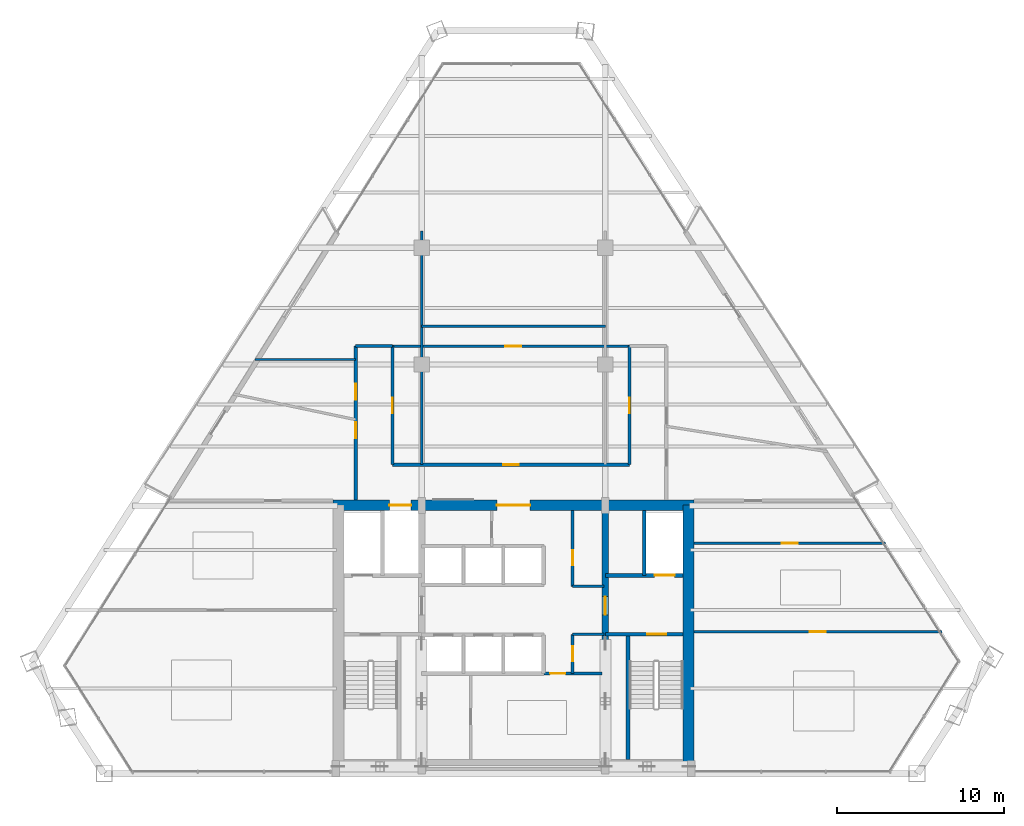
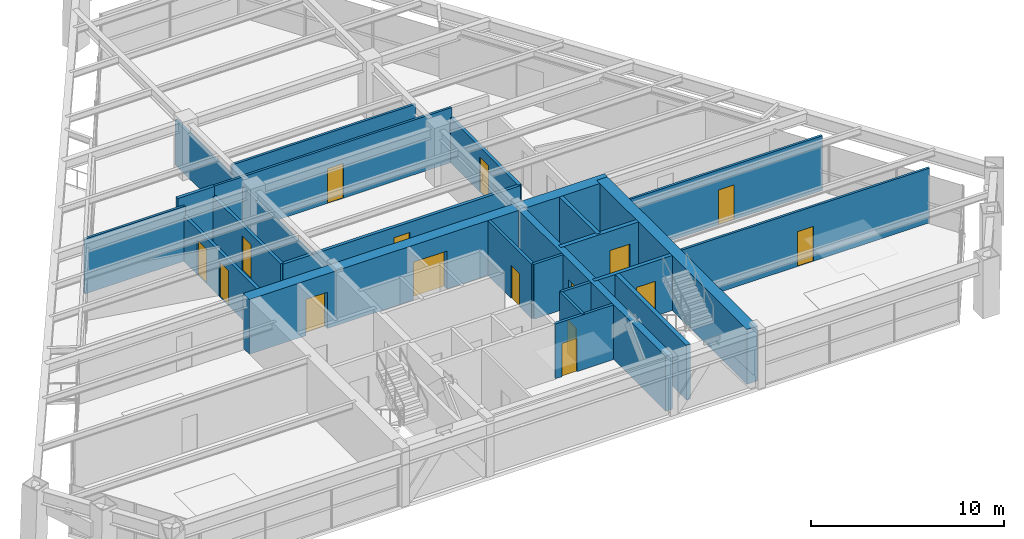
# One storey, part 12 of 15: 23 walls, 16 doors, 16 openings.
"""IFC4 building model written with IfcOpenShell, lengths in metres."""

from ifc_helpers import new_model, si_unit, direction, frame, frame_2d, origin, place, context, subcontext, project, spatial, rectangle, extrude, source, transform, mapped, material, layer, layer_set, type_object, type_shapes, element, fill, save


model = new_model("IFC4")

# Units and contexts
model_context = context("Model", 3, precision=1e-05, world=origin(), true_north=direction((0.0, 1.0)))
body_context = subcontext(model_context, "Body", "Model", "MODEL_VIEW")
ifc_project = project(units=[si_unit("LENGTHUNIT", "METRE"), si_unit("AREAUNIT", "SQUARE_METRE"), si_unit("VOLUMEUNIT", "CUBIC_METRE"), si_unit("PLANEANGLEUNIT", "RADIAN"), si_unit("MASSUNIT", "GRAM", prefix="KILO")], contexts=[model_context])

# Site, building, storey
site_placement = place(None, origin())
site = spatial("IfcSite", under=ifc_project, at=site_placement, CompositionType="ELEMENT")
building_placement = place(site_placement, origin())
building = spatial("IfcBuilding", under=site, at=building_placement, Name="Varnakhor Terracotta Tower", CompositionType="ELEMENT")
storey_placement = place(building_placement, frame((0.0, 0.0, 174.699951171875)))
storey = spatial("IfcBuildingStorey", under=building, at=storey_placement, Name="L44", CompositionType="ELEMENT", Elevation=174.699951171875)

# Wall, openings, doors
ifc_material_1 = material(Name="Concrete C50/60", Category="concrete")
ifc_layer_1 = layer(ifc_material_1, 0.64990234375, Name="Concrete C50/60")
ifc_layer_set_1 = layer_set([ifc_layer_1], Name="Concrete C50/60")
wall_type_1 = type_object("IfcWallType", Name="WAL-CORE-650", PredefinedType="SHEAR", material=ifc_layer_set_1)
wall_1_placement = place(storey_placement, frame((-10.800048828125, 16.074951171875, 0.0), z_axis=(0.0, 0.0, 1.0), x_axis=(1.0, 0.0, 0.0)))
wall_1 = element("IfcWall", 1, at=wall_1_placement, inside=storey, type_object=wall_type_1, Name="L44 North Core Shear Wall", PredefinedType="SHEAR", context=body_context, shape_type="SweptSolid", body=[
    extrude(rectangle(XDim=21.60009765625, YDim=0.64990234375, at=frame_2d((10.800048828125, 0.0))), origin(), (0.0, 0.0, 1.0), 3.469970703125),
])
opening_1_placement = place(wall_1_placement, frame((3.3701171875, 0.0, 0.0)))
opening_1 = element("IfcOpeningElement", 2, at=opening_1_placement, cuts=wall_1, Name="Opening LD-03", PredefinedType="OPENING", context=body_context, shape_type="SweptSolid", body=[
    extrude(rectangle(XDim=1.300048828125, YDim=2.300048828125, at=frame_2d((0.64990234375, 1.14990234375))), frame((0.0, 0.3349609375, 0.0), z_axis=(0.0, -1.0, 0.0), x_axis=(1.0, 0.0, 0.0)), (0.0, 0.0, 1.0), 0.669921875),
])
opening_2_placement = place(wall_1_placement, frame((9.800048828125, 0.0, 0.0)))
opening_2 = element("IfcOpeningElement", 3, at=opening_2_placement, cuts=wall_1, Name="Opening DR-32", PredefinedType="OPENING", context=body_context, shape_type="SweptSolid", body=[
    extrude(rectangle(XDim=2.0, YDim=2.39990234375, at=frame_2d((1.0, 1.199951171875))), frame((0.0, 0.3349609375, 0.0), z_axis=(0.0, -1.0, 0.0), x_axis=(1.0, 0.0, 0.0)), (0.0, 0.0, 1.0), 0.669921875),
])
ifc_material_2 = material(Name="Heavy-Duty Goods Sliding Lift Landing Door", Category="steel")
door_type_1 = type_object("IfcDoorType", Name="LD-SRV-1300X2300", OperationType="NOTDEFINED", PredefinedType="DOOR", material=ifc_material_2)
shared_shape_1 = source(origin(), body_context, "Body", "SweptSolid", [
    extrude(rectangle(XDim=1.300048828125, YDim=2.300048828125, at=frame_2d((0.64990234375, 1.14990234375))), frame((0.0, 0.02490234375, 0.0), z_axis=(0.0, -1.0, 0.0), x_axis=(1.0, 0.0, 0.0)), (0.0, 0.0, 1.0), 0.050048828125),
])
type_shapes(door_type_1, [shared_shape_1])
door_1_placement = place(opening_1_placement, origin())
door_1 = element("IfcDoor", 4, at=door_1_placement, inside=storey, type_object=door_type_1, Name="L44 Service Lift SVL-1 Landing Door", OperationType="SLIDING_TO_RIGHT", OverallHeight=2.300048828125, OverallWidth=1.300048828125, PredefinedType="DOOR", context=body_context, shape_type="MappedRepresentation", body=[
    mapped(shared_shape_1, transform((0.0, 0.0, 0.0), scale=1.0)),
])
fill(opening_1, door_1)
ifc_material_3 = material(Name="Acoustic Double Assembly Fire Door", Category="wood")
door_type_2 = type_object("IfcDoorType", Name="DR-HALL-2000X2400", OperationType="NOTDEFINED", PredefinedType="DOOR", material=ifc_material_3)
shared_shape_2 = source(origin(), body_context, "Body", "SweptSolid", [
    extrude(rectangle(XDim=2.0, YDim=2.39990234375, at=frame_2d((1.0, 1.199951171875))), frame((0.0, 0.02490234375, 0.0), z_axis=(0.0, -1.0, 0.0), x_axis=(1.0, 0.0, 0.0)), (0.0, 0.0, 1.0), 0.050048828125),
])
type_shapes(door_type_2, [shared_shape_2])
door_2_placement = place(opening_2_placement, origin())
door_2 = element("IfcDoor", 5, at=door_2_placement, inside=storey, type_object=door_type_2, Name="L44 Core Main Lobby Double Door", OperationType="DOUBLE_DOOR_SINGLE_SWING", OverallHeight=2.39990234375, OverallWidth=2.0, PredefinedType="DOOR", context=body_context, shape_type="MappedRepresentation", body=[
    mapped(shared_shape_2, transform((0.0, 0.0, 0.0), scale=1.0)),
])
fill(opening_2, door_2)

# Wall
wall_2_placement = place(storey_placement, frame((10.47509765625, 0.52490234375, 0.0), z_axis=(0.0, 0.0, 1.0), x_axis=(0.0, 1.0, 0.0)))
element("IfcWall", 6, at=wall_2_placement, inside=storey, type_object=wall_type_1, Name="L44 East Core Shear Wall", PredefinedType="SHEAR", context=body_context, shape_type="SweptSolid", body=[
    extrude(rectangle(XDim=15.550048828125, YDim=0.64990234375, at=frame_2d((7.77490234375, 0.0))), origin(), (0.0, 0.0, 1.0), 3.469970703125),
])

# Wall, opening, door
ifc_layer_2 = layer(ifc_material_1, 0.39990234375, Name="Concrete C50/60")
ifc_layer_set_2 = layer_set([ifc_layer_2], Name="Concrete C50/60")
wall_type_2 = type_object("IfcWallType", Name="WAL-CORE-WEB-400", PredefinedType="SHEAR", material=ifc_layer_set_2)
wall_3_placement = place(storey_placement, frame((5.5, 0.52490234375, 0.0), z_axis=(0.0, 0.0, 1.0), x_axis=(0.0, 1.0, 0.0)))
wall_3 = element("IfcWall", 7, at=wall_3_placement, inside=storey, type_object=wall_type_2, Name="L44 East Core Web Shear Wall", PredefinedType="SHEAR", context=body_context, shape_type="SweptSolid", body=[
    extrude(rectangle(XDim=15.550048828125, YDim=0.39990234375, at=frame_2d((7.77490234375, 0.0))), origin(), (0.0, 0.0, 1.0), 3.469970703125),
])
opening_3_placement = place(wall_3_placement, frame((8.97509765625, 0.0, 0.0)))
opening_3 = element("IfcOpeningElement", 8, at=opening_3_placement, cuts=wall_3, Name="Opening DR-25", PredefinedType="OPENING", context=body_context, shape_type="SweptSolid", body=[
    extrude(rectangle(XDim=1.10009765625, YDim=2.199951171875, at=frame_2d((0.550048828125, 1.10009765625))), frame((0.0, 0.2099609375, 0.0), z_axis=(0.0, -1.0, 0.0), x_axis=(1.0, 0.0, 0.0)), (0.0, 0.0, 1.0), 0.419921875),
])
ifc_material_4 = material(Name="Firefighting Lobby Self-Closing Fire Door", Category="steel")
door_type_3 = type_object("IfcDoorType", Name="DR-FFL-1100X2200", OperationType="NOTDEFINED", PredefinedType="DOOR", material=ifc_material_4)
shared_shape_3 = source(origin(), body_context, "Body", "SweptSolid", [
    extrude(rectangle(XDim=1.10009765625, YDim=2.199951171875, at=frame_2d((0.550048828125, 1.10009765625))), frame((0.0, 0.02490234375, 0.0), z_axis=(0.0, -1.0, 0.0), x_axis=(1.0, 0.0, 0.0)), (0.0, 0.0, 1.0), 0.050048828125),
])
type_shapes(door_type_3, [shared_shape_3])
door_3_placement = place(opening_3_placement, origin())
door_3 = element("IfcDoor", 9, at=door_3_placement, inside=storey, type_object=door_type_3, Name="L44 East Firefighting Lobby Door", OperationType="SINGLE_SWING_RIGHT", OverallHeight=2.199951171875, OverallWidth=1.10009765625, PredefinedType="DOOR", context=body_context, shape_type="MappedRepresentation", body=[
    mapped(shared_shape_3, transform((0.0, 0.0, 0.0), scale=1.0)),
])
fill(opening_3, door_3)

ifc_material_5 = material(Name="Fire-Rated Gypsum Stud Partition", Category="gypsum")
ifc_layer_3 = layer(ifc_material_5, 0.18505859375, Name="Fire-Rated Gypsum Stud Partition")
ifc_layer_set_3 = layer_set([ifc_layer_3], Name="Fire-Rated Gypsum Stud Partition")
wall_type_3 = type_object("IfcWallType", Name="WAL-CORR-185", PredefinedType="PARTITIONING", material=ifc_layer_set_3)
wall_4_placement = place(storey_placement, frame((-7.25, 18.5, 0.0), z_axis=(0.0, 0.0, 1.0), x_axis=(1.0, 0.0, 0.0)))
wall_4 = element("IfcWall", 10, at=wall_4_placement, inside=storey, type_object=wall_type_3, Name="L44 Central Gallery Link Wall", PredefinedType="PARTITIONING", context=body_context, shape_type="SweptSolid", body=[
    extrude(rectangle(XDim=14.199951171875, YDim=0.18505859375, at=frame_2d((7.10009765625, 0.0))), origin(), (0.0, 0.0, 1.0), 2.845947265625),
])
opening_4_placement = place(wall_4_placement, frame((6.625, 0.0, 0.0)))
opening_4 = element("IfcOpeningElement", 11, at=opening_4_placement, cuts=wall_4, Name="Opening DR-94", PredefinedType="OPENING", context=body_context, shape_type="SweptSolid", body=[
    extrude(rectangle(XDim=0.949951171875, YDim=2.199951171875, at=frame_2d((0.47509765625, 1.10009765625))), frame((0.0, 0.1025390625, 0.0), z_axis=(0.0, -1.0, 0.0), x_axis=(1.0, 0.0, 0.0)), (0.0, 0.0, 1.0), 0.205078125),
])
ifc_material_6 = material(Name="Acoustic Glazed-Vision Timber Office Door", Category="wood")
door_type_4 = type_object("IfcDoorType", Name="DR-OFF-950X2200", OperationType="NOTDEFINED", PredefinedType="DOOR", material=ifc_material_6)
shared_shape_4 = source(origin(), body_context, "Body", "SweptSolid", [
    extrude(rectangle(XDim=0.949951171875, YDim=2.199951171875, at=frame_2d((0.47509765625, 1.10009765625))), frame((0.0, 0.02490234375, 0.0), z_axis=(0.0, -1.0, 0.0), x_axis=(1.0, 0.0, 0.0)), (0.0, 0.0, 1.0), 0.050048828125),
])
type_shapes(door_type_4, [shared_shape_4])
door_4_placement = place(opening_4_placement, origin())
door_4 = element("IfcDoor", 12, at=door_4_placement, inside=storey, type_object=door_type_4, Name="L44 Center Suite Door", OperationType="SINGLE_SWING_RIGHT", OverallHeight=2.199951171875, OverallWidth=0.949951171875, PredefinedType="DOOR", context=body_context, shape_type="MappedRepresentation", body=[
    mapped(shared_shape_4, transform((0.0, 0.0, 0.0), scale=1.0)),
])
fill(opening_4, door_4)

wall_5_placement = place(storey_placement, frame((-7.25, 18.5, 0.0), z_axis=(0.0, 0.0, 1.0), x_axis=(0.0, 1.0, 0.0)))
wall_5 = element("IfcWall", 13, at=wall_5_placement, inside=storey, type_object=wall_type_3, Name="L44 West Gallery Inner Wall", PredefinedType="PARTITIONING", context=body_context, shape_type="SweptSolid", body=[
    extrude(rectangle(XDim=7.10009765625, YDim=0.18505859375, at=frame_2d((3.550048828125, 0.0))), origin(), (0.0, 0.0, 1.0), 2.845947265625),
])
opening_5_placement = place(wall_5_placement, frame((3.074951171875, 0.0, 0.0)))
opening_5 = element("IfcOpeningElement", 14, at=opening_5_placement, cuts=wall_5, Name="Opening DR-94", PredefinedType="OPENING", context=body_context, shape_type="SweptSolid", body=[
    extrude(rectangle(XDim=0.949951171875, YDim=2.199951171875, at=frame_2d((0.47509765625, 1.10009765625))), frame((0.0, 0.1025390625, 0.0), z_axis=(0.0, -1.0, 0.0), x_axis=(1.0, 0.0, 0.0)), (0.0, 0.0, 1.0), 0.205078125),
])
door_5_placement = place(opening_5_placement, origin())
door_5 = element("IfcDoor", 15, at=door_5_placement, inside=storey, type_object=door_type_4, Name="L44 Partner Office 1 B10 Door", OperationType="SINGLE_SWING_RIGHT", OverallHeight=2.199951171875, OverallWidth=0.949951171875, PredefinedType="DOOR", context=body_context, shape_type="MappedRepresentation", body=[
    mapped(shared_shape_4, transform((0.0, 0.0, 0.0), scale=1.0)),
])
fill(opening_5, door_5)

wall_6_placement = place(storey_placement, frame((6.949951171875, 18.5, 0.0), z_axis=(0.0, 0.0, 1.0), x_axis=(0.0, 1.0, 0.0)))
wall_6 = element("IfcWall", 16, at=wall_6_placement, inside=storey, type_object=wall_type_3, Name="L44 East Gallery Inner Wall", PredefinedType="PARTITIONING", context=body_context, shape_type="SweptSolid", body=[
    extrude(rectangle(XDim=7.10009765625, YDim=0.18505859375, at=frame_2d((3.550048828125, 0.0))), origin(), (0.0, 0.0, 1.0), 2.845947265625),
])
opening_6_placement = place(wall_6_placement, frame((3.074951171875, 0.0, 0.0)))
opening_6 = element("IfcOpeningElement", 17, at=opening_6_placement, cuts=wall_6, Name="Opening DR-94", PredefinedType="OPENING", context=body_context, shape_type="SweptSolid", body=[
    extrude(rectangle(XDim=0.949951171875, YDim=2.199951171875, at=frame_2d((0.47509765625, 1.10009765625))), frame((0.0, 0.1025390625, 0.0), z_axis=(0.0, -1.0, 0.0), x_axis=(1.0, 0.0, 0.0)), (0.0, 0.0, 1.0), 0.205078125),
])
door_6_placement = place(opening_6_placement, origin())
door_6 = element("IfcDoor", 18, at=door_6_placement, inside=storey, type_object=door_type_4, Name="L44 Partner Office 5 B9 Door", OperationType="SINGLE_SWING_LEFT", OverallHeight=2.199951171875, OverallWidth=0.949951171875, PredefinedType="DOOR", context=body_context, shape_type="MappedRepresentation", body=[
    mapped(shared_shape_4, transform((0.0, 0.0, 0.0), scale=1.0)),
])
fill(opening_6, door_6)

# Wall, openings, doors
wall_7_placement = place(storey_placement, frame((-9.449951171875, 16.39990234375, 0.0), z_axis=(0.0, 0.0, 1.0), x_axis=(0.0, 1.0, 0.0)))
wall_7 = element("IfcWall", 19, at=wall_7_placement, inside=storey, type_object=wall_type_3, Name="L44 West Gallery Outer Wall", PredefinedType="PARTITIONING", context=body_context, shape_type="SweptSolid", body=[
    extrude(rectangle(XDim=9.2001953125, YDim=0.18505859375, at=frame_2d((4.60009765625, 0.0))), origin(), (0.0, 0.0, 1.0), 2.845947265625),
])
opening_7_placement = place(wall_7_placement, frame((3.698974609375, 0.0, 0.0)))
opening_7 = element("IfcOpeningElement", 20, at=opening_7_placement, cuts=wall_7, Name="Opening DR-94", PredefinedType="OPENING", context=body_context, shape_type="SweptSolid", body=[
    extrude(rectangle(XDim=0.949951171875, YDim=2.199951171875, at=frame_2d((0.47509765625, 1.10009765625))), frame((0.0, 0.1025390625, 0.0), z_axis=(0.0, -1.0, 0.0), x_axis=(1.0, 0.0, 0.0)), (0.0, 0.0, 1.0), 0.205078125),
])
opening_8_placement = place(wall_7_placement, frame((5.987548828125, 0.0, 0.0)))
opening_8 = element("IfcOpeningElement", 21, at=opening_8_placement, cuts=wall_7, Name="Opening DR-94", PredefinedType="OPENING", context=body_context, shape_type="SweptSolid", body=[
    extrude(rectangle(XDim=0.949951171875, YDim=2.199951171875, at=frame_2d((0.47509765625, 1.10009765625))), frame((0.0, 0.1025390625, 0.0), z_axis=(0.0, -1.0, 0.0), x_axis=(1.0, 0.0, 0.0)), (0.0, 0.0, 1.0), 0.205078125),
])
door_7_placement = place(opening_7_placement, origin())
door_7 = element("IfcDoor", 22, at=door_7_placement, inside=storey, type_object=door_type_4, Name="L44 West Wing Door", OperationType="SINGLE_SWING_LEFT", OverallHeight=2.199951171875, OverallWidth=0.949951171875, PredefinedType="DOOR", context=body_context, shape_type="MappedRepresentation", body=[
    mapped(shared_shape_4, transform((0.0, 0.0, 0.0), scale=1.0)),
])
fill(opening_7, door_7)
door_8_placement = place(opening_8_placement, origin())
door_8 = element("IfcDoor", 23, at=door_8_placement, inside=storey, type_object=door_type_4, Name="L44 Partner Office 2 Door", OperationType="SINGLE_SWING_LEFT", OverallHeight=2.199951171875, OverallWidth=0.949951171875, PredefinedType="DOOR", context=body_context, shape_type="MappedRepresentation", body=[
    mapped(shared_shape_4, transform((0.0, 0.0, 0.0), scale=1.0)),
])
fill(opening_8, door_8)

# Wall
wall_8_placement = place(storey_placement, frame((-9.449951171875, 25.60009765625, 0.0), z_axis=(0.0, 0.0, 1.0), x_axis=(1.0, 0.0, 0.0)))
element("IfcWall", 24, at=wall_8_placement, inside=storey, type_object=wall_type_3, Name="L44 West Gallery North End", PredefinedType="PARTITIONING", context=body_context, shape_type="SweptSolid", body=[
    extrude(rectangle(XDim=2.199951171875, YDim=0.18505859375, at=frame_2d((1.10009765625, 0.0))), origin(), (0.0, 0.0, 1.0), 3.462158203125),
])

# Wall, opening, door
ifc_material_7 = material(Name="Concrete C40/50", Category="concrete")
ifc_layer_4 = layer(ifc_material_7, 0.219970703125, Name="Concrete C40/50")
ifc_layer_set_4 = layer_set([ifc_layer_4], Name="Concrete C40/50")
wall_type_4 = type_object("IfcWallType", Name="WAL-FFLOBBY-220", PredefinedType="SOLIDWALL", material=ifc_layer_set_4)
wall_9_placement = place(storey_placement, frame((10.14990234375, 8.35009765625, 0.0), z_axis=(0.0, 0.0, 1.0), x_axis=(-1.0, 0.0, 0.0)))
wall_9 = element("IfcWall", 25, at=wall_9_placement, inside=storey, type_object=wall_type_4, Name="L44 East Firefighting Lobby Stair Wall", PredefinedType="SOLIDWALL", context=body_context, shape_type="SweptSolid", body=[
    extrude(rectangle(XDim=4.64990234375, YDim=0.219970703125, at=frame_2d((2.324951171875, 0.0))), origin(), (0.0, 0.0, 1.0), 3.469970703125),
])
opening_9_placement = place(wall_9_placement, frame((1.0, 0.0, 0.0)))
opening_9 = element("IfcOpeningElement", 26, at=opening_9_placement, cuts=wall_9, Name="Opening DR-34", PredefinedType="OPENING", context=body_context, shape_type="SweptSolid", body=[
    extrude(rectangle(XDim=1.14990234375, YDim=2.199951171875, at=frame_2d((0.574951171875, 1.10009765625))), frame((0.0, 0.1201171875, 0.0), z_axis=(0.0, -1.0, 0.0), x_axis=(1.0, 0.0, 0.0)), (0.0, 0.0, 1.0), 0.239990234375),
])
ifc_material_8 = material(Name="Self-Closing Smoke-Sealed Steel Fire Door", Category="steel")
door_type_5 = type_object("IfcDoorType", Name="DR-STAIR-1150X2200", OperationType="NOTDEFINED", PredefinedType="DOOR", material=ifc_material_8)
shared_shape_5 = source(origin(), body_context, "Body", "SweptSolid", [
    extrude(rectangle(XDim=1.14990234375, YDim=2.199951171875, at=frame_2d((0.574951171875, 1.10009765625))), frame((0.0, 0.02490234375, 0.0), z_axis=(0.0, -1.0, 0.0), x_axis=(1.0, 0.0, 0.0)), (0.0, 0.0, 1.0), 0.050048828125),
])
type_shapes(door_type_5, [shared_shape_5])
door_9_placement = place(opening_9_placement, origin())
door_9 = element("IfcDoor", 27, at=door_9_placement, inside=storey, type_object=door_type_5, Name="L44 Exit Stair ST-2 Fire Door", OperationType="SINGLE_SWING_LEFT", OverallHeight=2.199951171875, OverallWidth=1.14990234375, PredefinedType="DOOR", context=body_context, shape_type="MappedRepresentation", body=[
    mapped(shared_shape_5, transform((0.0, 0.0, 0.0), scale=1.0)),
])
fill(opening_9, door_9)

ifc_material_9 = material(Name="Acoustic Metal-Stud Partition", Category="gypsum")
ifc_layer_5 = layer(ifc_material_9, 0.139892578125, Name="Acoustic Metal-Stud Partition")
ifc_layer_set_5 = layer_set([ifc_layer_5], Name="Acoustic Metal-Stud Partition")
wall_type_5 = type_object("IfcWallType", Name="WAL-PART-140", PredefinedType="PARTITIONING", material=ifc_layer_set_5)
wall_10_placement = place(storey_placement, frame((-7.25, 25.60009765625, 0.0), z_axis=(0.0, 0.0, 1.0), x_axis=(1.0, 0.0, 0.0)))
wall_10 = element("IfcWall", 28, at=wall_10_placement, inside=storey, type_object=wall_type_5, Name="L44 Gallery Center Cap Wall", PredefinedType="PARTITIONING", context=body_context, shape_type="SweptSolid", body=[
    extrude(rectangle(XDim=14.199951171875, YDim=0.139892578125, at=frame_2d((7.10009765625, 0.0))), origin(), (0.0, 0.0, 1.0), 3.462158203125),
])
opening_10_placement = place(wall_10_placement, frame((6.767822265625, 0.0, 0.0)))
opening_10 = element("IfcOpeningElement", 29, at=opening_10_placement, cuts=wall_10, Name="Opening DR-94", PredefinedType="OPENING", context=body_context, shape_type="SweptSolid", body=[
    extrude(rectangle(XDim=0.949951171875, YDim=2.199951171875, at=frame_2d((0.47509765625, 1.10009765625))), frame((0.0, 0.080078125, 0.0), z_axis=(0.0, -1.0, 0.0), x_axis=(1.0, 0.0, 0.0)), (0.0, 0.0, 1.0), 0.159912109375),
])
door_10_placement = place(opening_10_placement, origin())
door_10 = element("IfcDoor", 30, at=door_10_placement, inside=storey, type_object=door_type_4, Name="L44 Staff Pantry Kitchen Door", OperationType="SINGLE_SWING_RIGHT", OverallHeight=2.199951171875, OverallWidth=0.949951171875, PredefinedType="DOOR", context=body_context, shape_type="MappedRepresentation", body=[
    mapped(shared_shape_4, transform((0.0, 0.0, 0.0), scale=1.0)),
])
fill(opening_10, door_10)

# Walls
wall_11_placement = place(storey_placement, frame((-5.5, 18.5, 0.0), z_axis=(0.0, 0.0, 1.0), x_axis=(0.0, 1.0, 0.0)))
element("IfcWall", 31, at=wall_11_placement, inside=storey, type_object=wall_type_5, Name="L44 Center West Column Wall", PredefinedType="PARTITIONING", context=body_context, shape_type="SweptSolid", body=[
    extrude(rectangle(XDim=14.0, YDim=0.139892578125, at=frame_2d((7.0, 0.0))), origin(), (0.0, 0.0, 1.0), 2.845947265625),
])
wall_12_placement = place(storey_placement, frame((-5.5, 26.800048828125, 0.0), z_axis=(0.0, 0.0, 1.0), x_axis=(1.0, 0.0, 0.0)))
element("IfcWall", 32, at=wall_12_placement, inside=storey, type_object=wall_type_5, Name="L44 Center Cross Cut 1", PredefinedType="PARTITIONING", context=body_context, shape_type="SweptSolid", body=[
    extrude(rectangle(XDim=11.0, YDim=0.139892578125, at=frame_2d((5.5, 0.0))), origin(), (0.0, 0.0, 1.0), 3.462158203125),
])
wall_13_placement = place(storey_placement, frame((-15.468505859375, 24.800048828125, 0.0), z_axis=(0.0, 0.0, 1.0), x_axis=(1.0, 0.0, 0.0)))
element("IfcWall", 33, at=wall_13_placement, inside=storey, type_object=wall_type_5, Name="L44 West Wing Cut 3", PredefinedType="PARTITIONING", context=body_context, shape_type="SweptSolid", body=[
    extrude(rectangle(XDim=6.0185546875, YDim=0.139892578125, at=frame_2d((3.00927734375, 0.0))), origin(), (0.0, 0.0, 1.0), 3.462158203125),
])

# Wall, opening, door
wall_14_placement = place(storey_placement, frame((10.820068359375, 8.5, 0.0), z_axis=(0.0, 0.0, 1.0), x_axis=(1.0, 0.0, 0.0)))
wall_14 = element("IfcWall", 34, at=wall_14_placement, inside=storey, type_object=wall_type_5, Name="L44 East Wing Cut 1", PredefinedType="PARTITIONING", context=body_context, shape_type="SweptSolid", body=[
    extrude(rectangle(XDim=14.831787109375, YDim=0.139892578125, at=frame_2d((7.416015625, 0.0))), origin(), (0.0, 0.0, 1.0), 3.462158203125),
])
opening_11_placement = place(wall_14_placement, frame((6.933349609375, 0.0, 0.0)))
opening_11 = element("IfcOpeningElement", 35, at=opening_11_placement, cuts=wall_14, Name="Opening DR-94", PredefinedType="OPENING", context=body_context, shape_type="SweptSolid", body=[
    extrude(rectangle(XDim=0.949951171875, YDim=2.199951171875, at=frame_2d((0.47509765625, 1.10009765625))), frame((0.0, 0.080078125, 0.0), z_axis=(0.0, -1.0, 0.0), x_axis=(1.0, 0.0, 0.0)), (0.0, 0.0, 1.0), 0.159912109375),
])
door_11_placement = place(opening_11_placement, origin())
door_11 = element("IfcDoor", 36, at=door_11_placement, inside=storey, type_object=door_type_4, Name="L44 Partner Office 1 SE Door", OperationType="SINGLE_SWING_RIGHT", OverallHeight=2.199951171875, OverallWidth=0.949951171875, PredefinedType="DOOR", context=body_context, shape_type="MappedRepresentation", body=[
    mapped(shared_shape_4, transform((0.0, 0.0, 0.0), scale=1.0)),
])
fill(opening_11, door_11)

wall_15_placement = place(storey_placement, frame((10.820068359375, 13.800048828125, 0.0), z_axis=(0.0, 0.0, 1.0), x_axis=(1.0, 0.0, 0.0)))
wall_15 = element("IfcWall", 37, at=wall_15_placement, inside=storey, type_object=wall_type_5, Name="L44 East Wing Cut 2", PredefinedType="PARTITIONING", context=body_context, shape_type="SweptSolid", body=[
    extrude(rectangle(XDim=11.468994140625, YDim=0.139892578125, at=frame_2d((5.734375, 0.0))), origin(), (0.0, 0.0, 1.0), 3.462158203125),
])
opening_12_placement = place(wall_15_placement, frame((5.251953125, 0.0, 0.0)))
opening_12 = element("IfcOpeningElement", 38, at=opening_12_placement, cuts=wall_15, Name="Opening DR-94", PredefinedType="OPENING", context=body_context, shape_type="SweptSolid", body=[
    extrude(rectangle(XDim=0.949951171875, YDim=2.199951171875, at=frame_2d((0.47509765625, 1.10009765625))), frame((0.0, 0.080078125, 0.0), z_axis=(0.0, -1.0, 0.0), x_axis=(1.0, 0.0, 0.0)), (0.0, 0.0, 1.0), 0.159912109375),
])
door_12_placement = place(opening_12_placement, origin())
door_12 = element("IfcDoor", 39, at=door_12_placement, inside=storey, type_object=door_type_4, Name="L44 Conference Room 1 B3 Door", OperationType="SINGLE_SWING_LEFT", OverallHeight=2.199951171875, OverallWidth=0.949951171875, PredefinedType="DOOR", context=body_context, shape_type="MappedRepresentation", body=[
    mapped(shared_shape_4, transform((0.0, 0.0, 0.0), scale=1.0)),
])
fill(opening_12, door_12)

# Walls
ifc_layer_6 = layer(ifc_material_7, 0.219970703125, Name="Concrete C40/50")
ifc_layer_set_6 = layer_set([ifc_layer_6], Name="Concrete C40/50")
wall_type_6 = type_object("IfcWallType", Name="WAL-SHAFT-220", PredefinedType="SOLIDWALL", material=ifc_layer_set_6)
wall_16_placement = place(storey_placement, frame((7.840087890625, 11.8701171875, 0.0), z_axis=(0.0, 0.0, 1.0), x_axis=(0.0, 1.0, 0.0)))
element("IfcWall", 40, at=wall_16_placement, inside=storey, type_object=wall_type_6, Name="L44 Lift FFL-2 and Riser Divider Wall", PredefinedType="SOLIDWALL", context=body_context, shape_type="SweptSolid", body=[
    extrude(rectangle(XDim=3.8798828125, YDim=0.219970703125, at=frame_2d((1.93994140625, 0.0))), origin(), (0.0, 0.0, 1.0), 3.469970703125),
])
ifc_layer_7 = layer(ifc_material_7, 0.25, Name="Concrete C40/50")
ifc_layer_set_7 = layer_set([ifc_layer_7], Name="Concrete C40/50")
wall_type_7 = type_object("IfcWallType", Name="WAL-SHAFT-250", PredefinedType="SOLIDWALL", material=ifc_layer_set_7)
wall_17_placement = place(storey_placement, frame((6.85009765625, 0.85009765625, 0.0), z_axis=(0.0, 0.0, 1.0), x_axis=(0.0, 1.0, 0.0)))
element("IfcWall", 41, at=wall_17_placement, inside=storey, type_object=wall_type_7, Name="L44 Stair ST-2 Bearing Shaft Wall", PredefinedType="SOLIDWALL", context=body_context, shape_type="SweptSolid", body=[
    extrude(rectangle(XDim=7.5, YDim=0.25, at=frame_2d((3.75, 0.0))), origin(), (0.0, 0.0, 1.0), 3.469970703125),
])

# Wall, opening, door
wall_18_placement = place(storey_placement, frame((10.14990234375, 11.8701171875, 0.0), z_axis=(0.0, 0.0, 1.0), x_axis=(-1.0, 0.0, 0.0)))
wall_18 = element("IfcWall", 42, at=wall_18_placement, inside=storey, type_object=wall_type_7, Name="L44 Lift FFL-2 Shaft Front Wall", PredefinedType="SOLIDWALL", context=body_context, shape_type="SweptSolid", body=[
    extrude(rectangle(XDim=4.64990234375, YDim=0.25, at=frame_2d((2.324951171875, 0.0))), origin(), (0.0, 0.0, 1.0), 3.469970703125),
])
opening_13_placement = place(wall_18_placement, frame((0.5, 0.0, 0.0)))
opening_13 = element("IfcOpeningElement", 43, at=opening_13_placement, cuts=wall_18, Name="Opening LD-02", PredefinedType="OPENING", context=body_context, shape_type="SweptSolid", body=[
    extrude(rectangle(XDim=1.199951171875, YDim=2.25, at=frame_2d((0.60009765625, 1.125))), frame((0.0, 0.135009765625, 0.0), z_axis=(0.0, -1.0, 0.0), x_axis=(1.0, 0.0, 0.0)), (0.0, 0.0, 1.0), 0.27001953125),
])
ifc_material_10 = material(Name="Firefighting Stretcher Sliding Lift Landing Door", Category="steel")
door_type_6 = type_object("IfcDoorType", Name="LD-FFL-1200X2250", OperationType="NOTDEFINED", PredefinedType="DOOR", material=ifc_material_10)
shared_shape_6 = source(origin(), body_context, "Body", "SweptSolid", [
    extrude(rectangle(XDim=1.199951171875, YDim=2.25, at=frame_2d((0.60009765625, 1.125))), frame((0.0, 0.02490234375, 0.0), z_axis=(0.0, -1.0, 0.0), x_axis=(1.0, 0.0, 0.0)), (0.0, 0.0, 1.0), 0.050048828125),
])
type_shapes(door_type_6, [shared_shape_6])
door_13_placement = place(opening_13_placement, origin())
door_13 = element("IfcDoor", 44, at=door_13_placement, inside=storey, type_object=door_type_6, Name="L44 Firefighting Lift FFL-2 Landing Door", OperationType="SLIDING_TO_RIGHT", OverallHeight=2.25, OverallWidth=1.199951171875, PredefinedType="DOOR", context=body_context, shape_type="MappedRepresentation", body=[
    mapped(shared_shape_6, transform((0.0, 0.0, 0.0), scale=1.0)),
])
fill(opening_13, door_13)

ifc_material_11 = material(Name="Acoustic Fire-Rated Partition", Category="gypsum")
ifc_layer_8 = layer(ifc_material_11, 0.1650390625, Name="Acoustic Fire-Rated Partition")
ifc_layer_set_8 = layer_set([ifc_layer_8], Name="Acoustic Fire-Rated Partition")
wall_type_8 = type_object("IfcWallType", Name="WAL-TENANCY-165", PredefinedType="PARTITIONING", material=ifc_layer_set_8)
wall_19_placement = place(storey_placement, frame((1.820068359375, 6.0, 0.0), z_axis=(0.0, 0.0, 1.0), x_axis=(1.0, 0.0, 0.0)))
wall_19 = element("IfcWall", 45, at=wall_19_placement, inside=storey, type_object=wall_type_8, Name="L44 Reclaimed Core Bay North Rated Wall", PredefinedType="PARTITIONING", context=body_context, shape_type="SweptSolid", body=[
    extrude(rectangle(XDim=3.47998046875, YDim=0.1650390625, at=frame_2d((1.739990234375, 0.0))), origin(), (0.0, 0.0, 1.0), 3.462158203125),
])
opening_14_placement = place(wall_19_placement, frame((0.3798828125, 0.0, 0.0)))
opening_14 = element("IfcOpeningElement", 46, at=opening_14_placement, cuts=wall_19, Name="Opening DR-67", PredefinedType="OPENING", context=body_context, shape_type="SweptSolid", body=[
    extrude(rectangle(XDim=0.89990234375, YDim=2.10009765625, at=frame_2d((0.449951171875, 1.050048828125))), frame((0.0, 0.092529296875, 0.0), z_axis=(0.0, -1.0, 0.0), x_axis=(1.0, 0.0, 0.0)), (0.0, 0.0, 1.0), 0.18505859375),
])
ifc_material_12 = material(Name="Steel Service Riser Fire Door", Category="steel")
door_type_7 = type_object("IfcDoorType", Name="DR-RISER-900X2100", OperationType="NOTDEFINED", PredefinedType="DOOR", material=ifc_material_12)
shared_shape_7 = source(origin(), body_context, "Body", "SweptSolid", [
    extrude(rectangle(XDim=0.89990234375, YDim=2.10009765625, at=frame_2d((0.449951171875, 1.050048828125))), frame((0.0, 0.02490234375, 0.0), z_axis=(0.0, -1.0, 0.0), x_axis=(1.0, 0.0, 0.0)), (0.0, 0.0, 1.0), 0.050048828125),
])
type_shapes(door_type_7, [shared_shape_7])
door_14_placement = place(opening_14_placement, origin())
door_14 = element("IfcDoor", 47, at=door_14_placement, inside=storey, type_object=door_type_7, Name="L44 Core Reclaimed Suite Door", OperationType="SINGLE_SWING_LEFT", OverallHeight=2.10009765625, OverallWidth=0.89990234375, PredefinedType="DOOR", context=body_context, shape_type="MappedRepresentation", body=[
    mapped(shared_shape_7, transform((0.0, 0.0, 0.0), scale=1.0)),
])
fill(opening_14, door_14)

wall_20_placement = place(storey_placement, frame((3.5400390625, 6.0, 0.0), z_axis=(0.0, 0.0, 1.0), x_axis=(0.0, 1.0, 0.0)))
wall_20 = element("IfcWall", 48, at=wall_20_placement, inside=storey, type_object=wall_type_8, Name="L44 Accessible WC Rated Wall", PredefinedType="PARTITIONING", context=body_context, shape_type="SweptSolid", body=[
    extrude(rectangle(XDim=2.340087890625, YDim=0.1650390625, at=frame_2d((1.169921875, 0.0))), origin(), (0.0, 0.0, 1.0), 3.462158203125),
])
opening_15_placement = place(wall_20_placement, frame((0.719970703125, 0.0, 0.0)))
opening_15 = element("IfcOpeningElement", 49, at=opening_15_placement, cuts=wall_20, Name="Opening DR-67", PredefinedType="OPENING", context=body_context, shape_type="SweptSolid", body=[
    extrude(rectangle(XDim=0.89990234375, YDim=2.10009765625, at=frame_2d((0.449951171875, 1.050048828125))), frame((0.0, 0.092529296875, 0.0), z_axis=(0.0, -1.0, 0.0), x_axis=(1.0, 0.0, 0.0)), (0.0, 0.0, 1.0), 0.18505859375),
])
door_15_placement = place(opening_15_placement, origin())
door_15 = element("IfcDoor", 50, at=door_15_placement, inside=storey, type_object=door_type_7, Name="L44 Accessible WC Door", OperationType="SINGLE_SWING_LEFT", OverallHeight=2.10009765625, OverallWidth=0.89990234375, PredefinedType="DOOR", context=body_context, shape_type="MappedRepresentation", body=[
    mapped(shared_shape_7, transform((0.0, 0.0, 0.0), scale=1.0)),
])
fill(opening_15, door_15)

# Wall
wall_21_placement = place(storey_placement, frame((3.5400390625, 8.340087890625, 0.0), z_axis=(0.0, 0.0, 1.0), x_axis=(1.0, 0.0, 0.0)))
element("IfcWall", 51, at=wall_21_placement, inside=storey, type_object=wall_type_8, Name="L44 Accessible WC North Wall", PredefinedType="PARTITIONING", context=body_context, shape_type="SweptSolid", body=[
    extrude(rectangle(XDim=1.8798828125, YDim=0.1650390625, at=frame_2d((0.93994140625, 0.0))), origin(), (0.0, 0.0, 1.0), 3.462158203125),
])

# Wall, opening, door
wall_22_placement = place(storey_placement, frame((3.5400390625, 11.219970703125, 0.0), z_axis=(0.0, 0.0, 1.0), x_axis=(0.0, 1.0, 0.0)))
wall_22 = element("IfcWall", 52, at=wall_22_placement, inside=storey, type_object=wall_type_8, Name="L44 Restroom Corridor Wall", PredefinedType="PARTITIONING", context=body_context, shape_type="SweptSolid", body=[
    extrude(rectangle(XDim=4.530029296875, YDim=0.1650390625, at=frame_2d((2.26513671875, 0.0))), origin(), (0.0, 0.0, 1.0), 3.462158203125),
])
opening_16_placement = place(wall_22_placement, frame((1.25, 0.0, 0.0)))
opening_16 = element("IfcOpeningElement", 53, at=opening_16_placement, cuts=wall_22, Name="Opening DR-67", PredefinedType="OPENING", context=body_context, shape_type="SweptSolid", body=[
    extrude(rectangle(XDim=0.89990234375, YDim=2.10009765625, at=frame_2d((0.449951171875, 1.050048828125))), frame((0.0, 0.092529296875, 0.0), z_axis=(0.0, -1.0, 0.0), x_axis=(1.0, 0.0, 0.0)), (0.0, 0.0, 1.0), 0.18505859375),
])
door_16_placement = place(opening_16_placement, origin())
door_16 = element("IfcDoor", 54, at=door_16_placement, inside=storey, type_object=door_type_7, Name="L44 Female WC Door", OperationType="SINGLE_SWING_LEFT", OverallHeight=2.10009765625, OverallWidth=0.89990234375, PredefinedType="DOOR", context=body_context, shape_type="MappedRepresentation", body=[
    mapped(shared_shape_7, transform((0.0, 0.0, 0.0), scale=1.0)),
])
fill(opening_16, door_16)

# Wall
wall_23_placement = place(storey_placement, frame((3.5400390625, 11.219970703125, 0.0), z_axis=(0.0, 0.0, 1.0), x_axis=(1.0, 0.0, 0.0)))
element("IfcWall", 55, at=wall_23_placement, inside=storey, type_object=wall_type_8, Name="L44 Restroom South Wall", PredefinedType="PARTITIONING", context=body_context, shape_type="SweptSolid", body=[
    extrude(rectangle(XDim=1.8798828125, YDim=0.1650390625, at=frame_2d((0.93994140625, 0.0))), origin(), (0.0, 0.0, 1.0), 3.462158203125),
])

save(model, "model.ifc")
